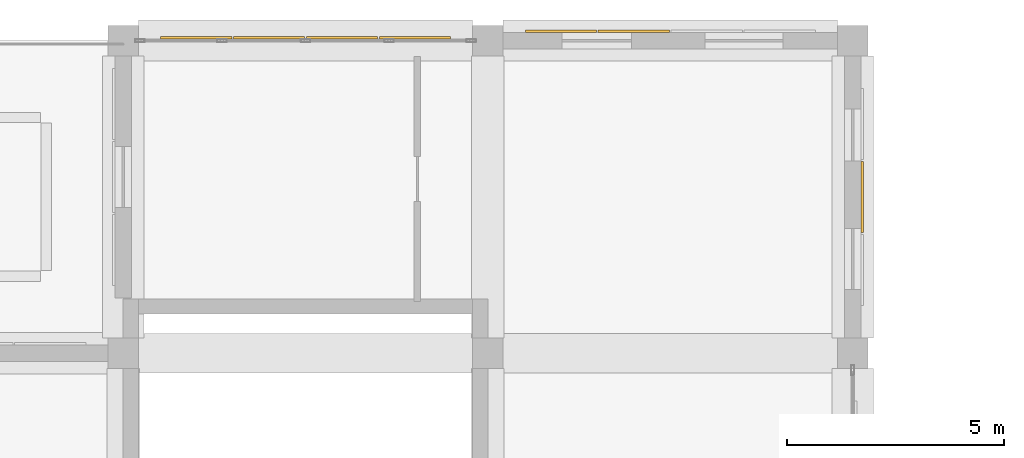
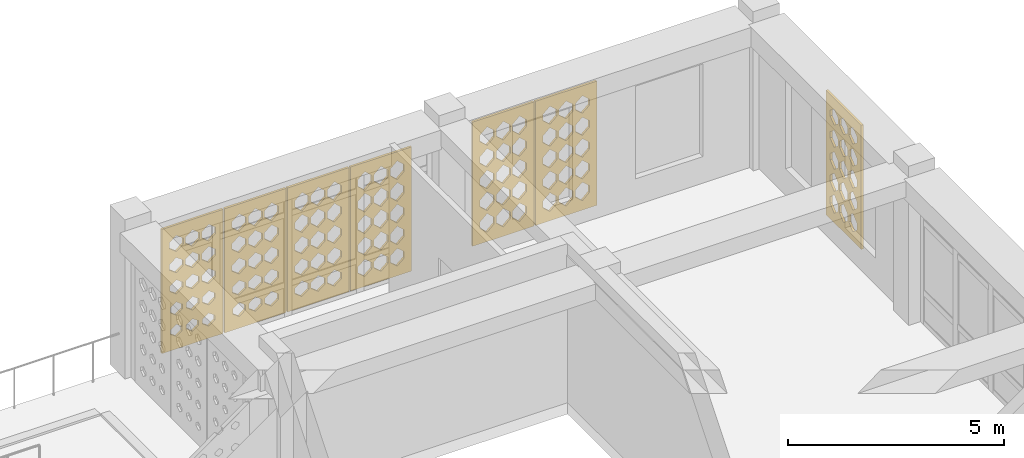
# One storey, part 77 of 79: 7 coverings.
"""IFC4 building model written with IfcOpenShell, lengths in metres."""

from ifc_helpers import new_model, si_unit, derived_unit, direction, frame, origin, place, context, subcontext, project, spatial, polyline, outline, extrude, material, layer, layer_set, type_object, element, save


model = new_model("IFC4")

# Units and contexts
model_context = context("Model", 3, precision=1e-05, world=origin(), true_north=direction((0.0, 1.0)))
body_context = subcontext(model_context, "Body", "Model", "MODEL_VIEW")
ifc_project = project(units=[si_unit("LENGTHUNIT", "METRE"), si_unit("AREAUNIT", "SQUARE_METRE"), si_unit("VOLUMEUNIT", "CUBIC_METRE"), si_unit("PLANEANGLEUNIT", "RADIAN"), si_unit("MASSUNIT", "GRAM", prefix="KILO"), derived_unit("THERMALTRANSMITTANCEUNIT", [(si_unit("POWERUNIT", "WATT"), 1), (si_unit("LENGTHUNIT", "METRE"), -2), (si_unit("THERMODYNAMICTEMPERATUREUNIT", "KELVIN"), -1)])], contexts=[model_context])

# Site, building, storey
site_placement = place(None, origin())
site = spatial("IfcSite", under=ifc_project, at=site_placement, CompositionType="ELEMENT")
building_placement = place(site_placement, origin())
building = spatial("IfcBuilding", under=site, at=building_placement, Name="Veybourne Emporium", CompositionType="ELEMENT")
storey_placement = place(building_placement, frame((0.0, 0.0, 18.89990234375)))
storey = spatial("IfcBuildingStorey", under=building, at=storey_placement, Name="L04", CompositionType="ELEMENT", Elevation=18.89990234375)

# Coverings
ifc_material = material(Name="Warm-White Perforated Aluminium Screen Alloy", Category="aluminium")
ifc_layer_1 = layer(ifc_material, 0.06005859375)
ifc_layer_set_1 = layer_set([ifc_layer_1], Name="Warm-White Perforated Aluminium Screen Alloy")
covering_type_1 = type_object("IfcCoveringType", Name="WaveScreen_SCR-01", PredefinedType="CLADDING", material=ifc_layer_set_1)
covering_1_placement = place(storey_placement, frame((77.280029296875, 100.89306640625, 1.815185546875), z_axis=(0.0, -1.0, 0.0), x_axis=(1.0, 0.0, 0.0)))
element("IfcCovering", 1, at=covering_1_placement, inside=storey, type_object=covering_type_1, Name="L04 wave-perforated aluminium screen SCR-01 (39C.1)", PredefinedType="CLADDING", context=body_context, shape_type="SweptSolid", body=[
    extrude(outline(polyline([(-0.81982421875, -1.7548828125), (0.81982421875, -1.7548828125), (0.81982421875, 1.7548828125), (-0.81982421875, 1.7548828125), (-0.81982421875, -1.7548828125)]), holes=[polyline([(-0.433349609375, -1.056396484375), (-0.282958984375, -1.166259765625), (-0.282958984375, -1.289794921875), (-0.433349609375, -1.399658203125), (-0.583740234375, -1.289794921875), (-0.583740234375, -1.166259765625), (-0.433349609375, -1.056396484375)]), polyline([(-0.433349609375, -0.42822265625), (-0.271484375, -0.547119140625), (-0.271484375, -0.680908203125), (-0.433349609375, -0.7998046875), (-0.59521484375, -0.680908203125), (-0.59521484375, -0.547119140625), (-0.433349609375, -0.42822265625)]), polyline([(-0.433349609375, 0.19970703125), (-0.259765625, 0.072021484375), (-0.259765625, -0.072021484375), (-0.433349609375, -0.19970703125), (-0.606689453125, -0.072021484375), (-0.606689453125, 0.072021484375), (-0.433349609375, 0.19970703125)]), polyline([(-0.433349609375, 0.827880859375), (-0.248291015625, 0.69091796875), (-0.248291015625, 0.537109375), (-0.433349609375, 0.400146484375), (-0.6181640625, 0.537109375), (-0.6181640625, 0.69091796875), (-0.433349609375, 0.827880859375)]), polyline([(-0.433349609375, 1.455078125), (-0.2470703125, 1.309814453125), (-0.2470703125, 1.146240234375), (-0.433349609375, 1.0009765625), (-0.61962890625, 1.146240234375), (-0.61962890625, 1.309814453125), (-0.433349609375, 1.455078125)]), polyline([(0.0, -1.050048828125), (0.155517578125, -1.163818359375), (0.155517578125, -1.2919921875), (0.0, -1.406005859375), (-0.155517578125, -1.2919921875), (-0.155517578125, -1.163818359375), (0.0, -1.050048828125)]), polyline([(0.0, -0.421875), (0.167236328125, -0.544921875), (0.167236328125, -0.68310546875), (0.0, -0.80615234375), (-0.167236328125, -0.68310546875), (-0.167236328125, -0.544921875), (0.0, -0.421875)]), polyline([(0.0, 0.206298828125), (0.1787109375, 0.07421875), (0.1787109375, -0.07421875), (0.0, -0.206298828125), (-0.1787109375, -0.07421875), (-0.1787109375, 0.07421875), (0.0, 0.206298828125)]), polyline([(0.0, 0.833984375), (0.186279296875, 0.693115234375), (0.186279296875, 0.534912109375), (0.0, 0.39404296875), (-0.186279296875, 0.534912109375), (-0.186279296875, 0.693115234375), (0.0, 0.833984375)]), polyline([(0.0, 1.460693359375), (0.186279296875, 1.311767578125), (0.186279296875, 1.144287109375), (0.0, 0.9951171875), (-0.186279296875, 1.144287109375), (-0.186279296875, 1.311767578125), (0.0, 1.460693359375)]), polyline([(0.433349609375, -1.043701171875), (0.59423828125, -1.16162109375), (0.59423828125, -1.29443359375), (0.433349609375, -1.412353515625), (0.2724609375, -1.29443359375), (0.2724609375, -1.16162109375), (0.433349609375, -1.043701171875)]), polyline([(0.433349609375, -0.41552734375), (0.605712890625, -0.54248046875), (0.605712890625, -0.685546875), (0.433349609375, -0.8125), (0.260986328125, -0.685546875), (0.260986328125, -0.54248046875), (0.433349609375, -0.41552734375)]), polyline([(0.433349609375, 0.21240234375), (0.6171875, 0.076416015625), (0.6171875, -0.076416015625), (0.433349609375, -0.21240234375), (0.24951171875, -0.076416015625), (0.24951171875, 0.076416015625), (0.433349609375, 0.21240234375)]), polyline([(0.433349609375, 0.83984375), (0.61962890625, 0.6953125), (0.61962890625, 0.53271484375), (0.433349609375, 0.38818359375), (0.2470703125, 0.53271484375), (0.2470703125, 0.6953125), (0.433349609375, 0.83984375)]), polyline([(0.433349609375, 1.46630859375), (0.61962890625, 1.313720703125), (0.61962890625, 1.14208984375), (0.433349609375, 0.98974609375), (0.2470703125, 1.14208984375), (0.2470703125, 1.313720703125), (0.433349609375, 1.46630859375)])]), origin(), (0.0, 0.0, 1.0), 0.06005859375),
])
covering_2_placement = place(storey_placement, frame((92.64794921875, 97.199951171875, 1.815185546875), z_axis=(-1.0, 0.0, 0.0), x_axis=(0.0, -1.0, 0.0)))
element("IfcCovering", 2, at=covering_2_placement, inside=storey, type_object=covering_type_1, Name="L04 wave-perforated aluminium screen SCR-01 (46.2)", PredefinedType="CLADDING", context=body_context, shape_type="SweptSolid", body=[
    extrude(outline(polyline([(-0.81982421875, -1.7548828125), (0.81982421875, -1.7548828125), (0.81982421875, 1.7548828125), (-0.81982421875, 1.7548828125), (-0.81982421875, -1.7548828125)]), holes=[polyline([(-0.433349609375, -0.964111328125), (-0.2470703125, -1.133056640625), (-0.2470703125, -1.322998046875), (-0.433349609375, -1.491943359375), (-0.61962890625, -1.322998046875), (-0.61962890625, -1.133056640625), (-0.433349609375, -0.964111328125)]), polyline([(-0.433349609375, -0.353515625), (-0.2470703125, -0.520263671875), (-0.2470703125, -0.707763671875), (-0.433349609375, -0.87451171875), (-0.61962890625, -0.707763671875), (-0.61962890625, -0.520263671875), (-0.433349609375, -0.353515625)]), polyline([(-0.433349609375, 0.25146484375), (-0.2470703125, 0.090576171875), (-0.2470703125, -0.090576171875), (-0.433349609375, -0.25146484375), (-0.61962890625, -0.090576171875), (-0.61962890625, 0.090576171875), (-0.433349609375, 0.25146484375)]), polyline([(-0.433349609375, 0.854736328125), (-0.2470703125, 0.70068359375), (-0.2470703125, 0.52734375), (-0.433349609375, 0.373291015625), (-0.61962890625, 0.52734375), (-0.61962890625, 0.70068359375), (-0.433349609375, 0.854736328125)]), polyline([(-0.433349609375, 1.45654296875), (-0.2470703125, 1.310302734375), (-0.2470703125, 1.145751953125), (-0.433349609375, 0.99951171875), (-0.61962890625, 1.145751953125), (-0.61962890625, 1.310302734375), (-0.433349609375, 1.45654296875)]), polyline([(0.0, -0.964111328125), (0.186279296875, -1.133056640625), (0.186279296875, -1.322998046875), (0.0, -1.491943359375), (-0.186279296875, -1.322998046875), (-0.186279296875, -1.133056640625), (0.0, -0.964111328125)]), polyline([(0.0, -0.35009765625), (0.186279296875, -0.51904296875), (0.186279296875, -0.708984375), (0.0, -0.8779296875), (-0.186279296875, -0.708984375), (-0.186279296875, -0.51904296875), (0.0, -0.35009765625)]), polyline([(0.0, 0.255615234375), (0.186279296875, 0.092041015625), (0.186279296875, -0.092041015625), (0.0, -0.255615234375), (-0.186279296875, -0.092041015625), (-0.186279296875, 0.092041015625), (0.0, 0.255615234375)]), polyline([(0.0, 0.859619140625), (0.186279296875, 0.702392578125), (0.186279296875, 0.525390625), (0.0, 0.368408203125), (-0.186279296875, 0.525390625), (-0.186279296875, 0.702392578125), (0.0, 0.859619140625)]), polyline([(0.0, 1.462158203125), (0.186279296875, 1.312255859375), (0.186279296875, 1.143798828125), (0.0, 0.993896484375), (-0.186279296875, 1.143798828125), (-0.186279296875, 1.312255859375), (0.0, 1.462158203125)]), polyline([(0.433349609375, -0.964111328125), (0.61962890625, -1.133056640625), (0.61962890625, -1.322998046875), (0.433349609375, -1.491943359375), (0.2470703125, -1.322998046875), (0.2470703125, -1.133056640625), (0.433349609375, -0.964111328125)]), polyline([(0.433349609375, -0.35009765625), (0.61962890625, -0.51904296875), (0.61962890625, -0.708984375), (0.433349609375, -0.8779296875), (0.2470703125, -0.708984375), (0.2470703125, -0.51904296875), (0.433349609375, -0.35009765625)]), polyline([(0.433349609375, 0.259765625), (0.61962890625, 0.093505859375), (0.61962890625, -0.093505859375), (0.433349609375, -0.259765625), (0.2470703125, -0.093505859375), (0.2470703125, 0.093505859375), (0.433349609375, 0.259765625)]), polyline([(0.433349609375, 0.864501953125), (0.61962890625, 0.7041015625), (0.61962890625, 0.523681640625), (0.433349609375, 0.363525390625), (0.2470703125, 0.523681640625), (0.2470703125, 0.7041015625), (0.433349609375, 0.864501953125)]), polyline([(0.433349609375, 1.467529296875), (0.61962890625, 1.314208984375), (0.61962890625, 1.1416015625), (0.433349609375, 0.98828125), (0.2470703125, 1.1416015625), (0.2470703125, 1.314208984375), (0.433349609375, 1.467529296875)])]), origin(), (0.0, 0.0, 1.0), 0.06005859375),
])
covering_3_placement = place(storey_placement, frame((85.679931640625, 101.048095703125, 1.815185546875), z_axis=(0.0, -1.0, 0.0), x_axis=(1.0, 0.0, 0.0)))
element("IfcCovering", 3, at=covering_3_placement, inside=storey, type_object=covering_type_1, Name="L04 wave-perforated aluminium screen SCR-01 (47.1)", PredefinedType="CLADDING", context=body_context, shape_type="SweptSolid", body=[
    extrude(outline(polyline([(-0.81982421875, -1.7548828125), (0.81982421875, -1.7548828125), (0.81982421875, 1.7548828125), (-0.81982421875, 1.7548828125), (-0.81982421875, -1.7548828125)]), holes=[polyline([(-0.433349609375, -0.964111328125), (-0.2470703125, -1.133056640625), (-0.2470703125, -1.322998046875), (-0.433349609375, -1.491943359375), (-0.61962890625, -1.322998046875), (-0.61962890625, -1.133056640625), (-0.433349609375, -0.964111328125)]), polyline([(-0.433349609375, -0.35009765625), (-0.2470703125, -0.51904296875), (-0.2470703125, -0.708984375), (-0.433349609375, -0.8779296875), (-0.61962890625, -0.708984375), (-0.61962890625, -0.51904296875), (-0.433349609375, -0.35009765625)]), polyline([(-0.433349609375, 0.263916015625), (-0.2470703125, 0.094970703125), (-0.2470703125, -0.094970703125), (-0.433349609375, -0.263916015625), (-0.61962890625, -0.094970703125), (-0.61962890625, 0.094970703125), (-0.433349609375, 0.263916015625)]), polyline([(-0.433349609375, 0.8779296875), (-0.2470703125, 0.708984375), (-0.2470703125, 0.51904296875), (-0.433349609375, 0.35009765625), (-0.61962890625, 0.51904296875), (-0.61962890625, 0.708984375), (-0.433349609375, 0.8779296875)]), polyline([(-0.433349609375, 1.491943359375), (-0.2470703125, 1.322998046875), (-0.2470703125, 1.133056640625), (-0.433349609375, 0.964111328125), (-0.61962890625, 1.133056640625), (-0.61962890625, 1.322998046875), (-0.433349609375, 1.491943359375)]), polyline([(0.0, -0.964111328125), (0.186279296875, -1.133056640625), (0.186279296875, -1.322998046875), (0.0, -1.491943359375), (-0.186279296875, -1.322998046875), (-0.186279296875, -1.133056640625), (0.0, -0.964111328125)]), polyline([(0.0, -0.35009765625), (0.186279296875, -0.51904296875), (0.186279296875, -0.708984375), (0.0, -0.8779296875), (-0.186279296875, -0.708984375), (-0.186279296875, -0.51904296875), (0.0, -0.35009765625)]), polyline([(0.0, 0.263916015625), (0.186279296875, 0.094970703125), (0.186279296875, -0.094970703125), (0.0, -0.263916015625), (-0.186279296875, -0.094970703125), (-0.186279296875, 0.094970703125), (0.0, 0.263916015625)]), polyline([(0.0, 0.8779296875), (0.186279296875, 0.708984375), (0.186279296875, 0.51904296875), (0.0, 0.35009765625), (-0.186279296875, 0.51904296875), (-0.186279296875, 0.708984375), (0.0, 0.8779296875)]), polyline([(0.0, 1.491943359375), (0.186279296875, 1.322998046875), (0.186279296875, 1.133056640625), (0.0, 0.964111328125), (-0.186279296875, 1.133056640625), (-0.186279296875, 1.322998046875), (0.0, 1.491943359375)]), polyline([(0.433349609375, -0.964111328125), (0.61962890625, -1.133056640625), (0.61962890625, -1.322998046875), (0.433349609375, -1.491943359375), (0.2470703125, -1.322998046875), (0.2470703125, -1.133056640625), (0.433349609375, -0.964111328125)]), polyline([(0.433349609375, -0.35009765625), (0.61962890625, -0.51904296875), (0.61962890625, -0.708984375), (0.433349609375, -0.8779296875), (0.2470703125, -0.708984375), (0.2470703125, -0.51904296875), (0.433349609375, -0.35009765625)]), polyline([(0.433349609375, 0.263916015625), (0.61962890625, 0.094970703125), (0.61962890625, -0.094970703125), (0.433349609375, -0.263916015625), (0.2470703125, -0.094970703125), (0.2470703125, 0.094970703125), (0.433349609375, 0.263916015625)]), polyline([(0.433349609375, 0.8779296875), (0.61962890625, 0.708984375), (0.61962890625, 0.51904296875), (0.433349609375, 0.35009765625), (0.2470703125, 0.51904296875), (0.2470703125, 0.708984375), (0.433349609375, 0.8779296875)]), polyline([(0.433349609375, 1.490478515625), (0.61962890625, 1.322509765625), (0.61962890625, 1.133544921875), (0.433349609375, 0.965576171875), (0.2470703125, 1.133544921875), (0.2470703125, 1.322509765625), (0.433349609375, 1.490478515625)])]), origin(), (0.0, 0.0, 1.0), 0.06005859375),
])
ifc_layer_2 = layer(ifc_material, 0.06005859375)
ifc_layer_set_2 = layer_set([ifc_layer_2], Name="Warm-White Perforated Aluminium Screen Alloy")
covering_type_2 = type_object("IfcCoveringType", Name="WaveScreen_SCR-02", PredefinedType="CLADDING", material=ifc_layer_set_2)
covering_4_placement = place(storey_placement, frame((78.9599609375, 100.89306640625, 1.815185546875), z_axis=(0.0, -1.0, 0.0), x_axis=(1.0, 0.0, 0.0)))
element("IfcCovering", 4, at=covering_4_placement, inside=storey, type_object=covering_type_2, Name="L04 wave-perforated aluminium screen SCR-02 (39C.2)", PredefinedType="CLADDING", context=body_context, shape_type="SweptSolid", body=[
    extrude(outline(polyline([(-0.81982421875, -1.7548828125), (0.81982421875, -1.7548828125), (0.81982421875, 1.7548828125), (-0.81982421875, 1.7548828125), (-0.81982421875, -1.7548828125)]), holes=[polyline([(-0.433349609375, -1.031494140625), (-0.2626953125, -1.1572265625), (-0.2626953125, -1.298583984375), (-0.433349609375, -1.42431640625), (-0.60400390625, -1.298583984375), (-0.60400390625, -1.1572265625), (-0.433349609375, -1.031494140625)]), polyline([(-0.433349609375, -0.403564453125), (-0.251220703125, -0.5380859375), (-0.251220703125, -0.689697265625), (-0.433349609375, -0.824462890625), (-0.615478515625, -0.689697265625), (-0.615478515625, -0.5380859375), (-0.433349609375, -0.403564453125)]), polyline([(-0.433349609375, 0.22412109375), (-0.2470703125, 0.08056640625), (-0.2470703125, -0.08056640625), (-0.433349609375, -0.22412109375), (-0.61962890625, -0.08056640625), (-0.61962890625, 0.08056640625), (-0.433349609375, 0.22412109375)]), polyline([(-0.433349609375, 0.8505859375), (-0.2470703125, 0.69921875), (-0.2470703125, 0.52880859375), (-0.433349609375, 0.37744140625), (-0.61962890625, 0.52880859375), (-0.61962890625, 0.69921875), (-0.433349609375, 0.8505859375)]), polyline([(-0.433349609375, 1.475830078125), (-0.2470703125, 1.317138671875), (-0.2470703125, 1.138916015625), (-0.433349609375, 0.980224609375), (-0.61962890625, 1.138916015625), (-0.61962890625, 1.317138671875), (-0.433349609375, 1.475830078125)]), polyline([(0.0, -1.025146484375), (0.17578125, -1.155029296875), (0.17578125, -1.301025390625), (0.0, -1.430908203125), (-0.17578125, -1.301025390625), (-0.17578125, -1.155029296875), (0.0, -1.025146484375)]), polyline([(0.0, -0.397216796875), (0.186279296875, -0.535888671875), (0.186279296875, -0.69189453125), (0.0, -0.830810546875), (-0.186279296875, -0.69189453125), (-0.186279296875, -0.535888671875), (0.0, -0.397216796875)]), polyline([(0.0, 0.229736328125), (0.186279296875, 0.082763671875), (0.186279296875, -0.082763671875), (0.0, -0.229736328125), (-0.186279296875, -0.082763671875), (-0.186279296875, 0.082763671875), (0.0, 0.229736328125)]), polyline([(0.0, 0.855712890625), (0.186279296875, 0.701171875), (0.186279296875, 0.52685546875), (0.0, 0.372314453125), (-0.186279296875, 0.52685546875), (-0.186279296875, 0.701171875), (0.0, 0.855712890625)]), polyline([(0.0, 1.48046875), (0.186279296875, 1.31884765625), (0.186279296875, 1.13720703125), (0.0, 0.9755859375), (-0.186279296875, 1.13720703125), (-0.186279296875, 1.31884765625), (0.0, 1.48046875)]), polyline([(0.433349609375, -1.018798828125), (0.614501953125, -1.152587890625), (0.614501953125, -1.30322265625), (0.433349609375, -1.437255859375), (0.252197265625, -1.30322265625), (0.252197265625, -1.152587890625), (0.433349609375, -1.018798828125)]), polyline([(0.433349609375, -0.391357421875), (0.61962890625, -0.53369140625), (0.61962890625, -0.694091796875), (0.433349609375, -0.836669921875), (0.2470703125, -0.694091796875), (0.2470703125, -0.53369140625), (0.433349609375, -0.391357421875)]), polyline([(0.433349609375, 0.2353515625), (0.61962890625, 0.084716796875), (0.61962890625, -0.084716796875), (0.433349609375, -0.2353515625), (0.2470703125, -0.084716796875), (0.2470703125, 0.084716796875), (0.433349609375, 0.2353515625)]), polyline([(0.433349609375, 0.86083984375), (0.61962890625, 0.702880859375), (0.61962890625, 0.525146484375), (0.433349609375, 0.3671875), (0.2470703125, 0.525146484375), (0.2470703125, 0.702880859375), (0.433349609375, 0.86083984375)]), polyline([(0.433349609375, 1.484619140625), (0.61962890625, 1.3203125), (0.61962890625, 1.135498046875), (0.433349609375, 0.97119140625), (0.2470703125, 1.135498046875), (0.2470703125, 1.3203125), (0.433349609375, 1.484619140625)])]), origin(), (0.0, 0.0, 1.0), 0.06005859375),
])
covering_5_placement = place(storey_placement, frame((87.360107421875, 101.048095703125, 1.815185546875), z_axis=(0.0, -1.0, 0.0), x_axis=(1.0, 0.0, 0.0)))
element("IfcCovering", 5, at=covering_5_placement, inside=storey, type_object=covering_type_2, Name="L04 wave-perforated aluminium screen SCR-02 (47.2)", PredefinedType="CLADDING", context=body_context, shape_type="SweptSolid", body=[
    extrude(outline(polyline([(-0.81982421875, -1.7548828125), (0.81982421875, -1.7548828125), (0.81982421875, 1.7548828125), (-0.81982421875, 1.7548828125), (-0.81982421875, -1.7548828125)]), holes=[polyline([(-0.433349609375, -0.964111328125), (-0.2470703125, -1.133056640625), (-0.2470703125, -1.322998046875), (-0.433349609375, -1.491943359375), (-0.61962890625, -1.322998046875), (-0.61962890625, -1.133056640625), (-0.433349609375, -0.964111328125)]), polyline([(-0.433349609375, -0.35009765625), (-0.2470703125, -0.51904296875), (-0.2470703125, -0.708984375), (-0.433349609375, -0.8779296875), (-0.61962890625, -0.708984375), (-0.61962890625, -0.51904296875), (-0.433349609375, -0.35009765625)]), polyline([(-0.433349609375, 0.263916015625), (-0.2470703125, 0.094970703125), (-0.2470703125, -0.094970703125), (-0.433349609375, -0.263916015625), (-0.61962890625, -0.094970703125), (-0.61962890625, 0.094970703125), (-0.433349609375, 0.263916015625)]), polyline([(-0.433349609375, 0.877685546875), (-0.2470703125, 0.708984375), (-0.2470703125, 0.51904296875), (-0.433349609375, 0.350341796875), (-0.61962890625, 0.51904296875), (-0.61962890625, 0.708984375), (-0.433349609375, 0.877685546875)]), polyline([(-0.433349609375, 1.4833984375), (-0.2470703125, 1.31982421875), (-0.2470703125, 1.135986328125), (-0.433349609375, 0.97265625), (-0.61962890625, 1.135986328125), (-0.61962890625, 1.31982421875), (-0.433349609375, 1.4833984375)]), polyline([(0.0, -0.964111328125), (0.186279296875, -1.133056640625), (0.186279296875, -1.322998046875), (0.0, -1.491943359375), (-0.186279296875, -1.322998046875), (-0.186279296875, -1.133056640625), (0.0, -0.964111328125)]), polyline([(0.0, -0.35009765625), (0.186279296875, -0.51904296875), (0.186279296875, -0.708984375), (0.0, -0.8779296875), (-0.186279296875, -0.708984375), (-0.186279296875, -0.51904296875), (0.0, -0.35009765625)]), polyline([(0.0, 0.263916015625), (0.186279296875, 0.094970703125), (0.186279296875, -0.094970703125), (0.0, -0.263916015625), (-0.186279296875, -0.094970703125), (-0.186279296875, 0.094970703125), (0.0, 0.263916015625)]), polyline([(0.0, 0.8740234375), (0.186279296875, 0.70751953125), (0.186279296875, 0.5205078125), (0.0, 0.35400390625), (-0.186279296875, 0.5205078125), (-0.186279296875, 0.70751953125), (0.0, 0.8740234375)]), polyline([(0.0, 1.47900390625), (0.186279296875, 1.318359375), (0.186279296875, 1.1376953125), (0.0, 0.97705078125), (-0.186279296875, 1.1376953125), (-0.186279296875, 1.318359375), (0.0, 1.47900390625)]), polyline([(0.433349609375, -0.964111328125), (0.61962890625, -1.133056640625), (0.61962890625, -1.322998046875), (0.433349609375, -1.491943359375), (0.2470703125, -1.322998046875), (0.2470703125, -1.133056640625), (0.433349609375, -0.964111328125)]), polyline([(0.433349609375, -0.35009765625), (0.61962890625, -0.51904296875), (0.61962890625, -0.708984375), (0.433349609375, -0.8779296875), (0.2470703125, -0.708984375), (0.2470703125, -0.51904296875), (0.433349609375, -0.35009765625)]), polyline([(0.433349609375, 0.263916015625), (0.61962890625, 0.094970703125), (0.61962890625, -0.094970703125), (0.433349609375, -0.263916015625), (0.2470703125, -0.094970703125), (0.2470703125, 0.094970703125), (0.433349609375, 0.263916015625)]), polyline([(0.433349609375, 0.8701171875), (0.61962890625, 0.706298828125), (0.61962890625, 0.521728515625), (0.433349609375, 0.35791015625), (0.2470703125, 0.521728515625), (0.2470703125, 0.706298828125), (0.433349609375, 0.8701171875)]), polyline([(0.433349609375, 1.474365234375), (0.61962890625, 1.316650390625), (0.61962890625, 1.139404296875), (0.433349609375, 0.981689453125), (0.2470703125, 1.139404296875), (0.2470703125, 1.316650390625), (0.433349609375, 1.474365234375)])]), origin(), (0.0, 0.0, 1.0), 0.06005859375),
])
ifc_layer_3 = layer(ifc_material, 0.06005859375)
ifc_layer_set_3 = layer_set([ifc_layer_3], Name="Warm-White Perforated Aluminium Screen Alloy")
covering_type_3 = type_object("IfcCoveringType", Name="WaveScreen_SCR-03", PredefinedType="CLADDING", material=ifc_layer_set_3)
covering_6_placement = place(storey_placement, frame((80.639892578125, 100.89306640625, 1.815185546875), z_axis=(0.0, -1.0, 0.0), x_axis=(1.0, 0.0, 0.0)))
element("IfcCovering", 6, at=covering_6_placement, inside=storey, type_object=covering_type_3, Name="L04 wave-perforated aluminium screen SCR-03 (39C.3)", PredefinedType="CLADDING", context=body_context, shape_type="SweptSolid", body=[
    extrude(outline(polyline([(-0.81982421875, -1.7548828125), (0.81982421875, -1.7548828125), (0.81982421875, 1.7548828125), (-0.81982421875, 1.7548828125), (-0.81982421875, -1.7548828125)]), holes=[polyline([(-0.433349609375, -1.007080078125), (-0.2470703125, -1.1484375), (-0.2470703125, -1.3076171875), (-0.433349609375, -1.44873046875), (-0.61962890625, -1.3076171875), (-0.61962890625, -1.1484375), (-0.433349609375, -1.007080078125)]), polyline([(-0.433349609375, -0.38037109375), (-0.2470703125, -0.52978515625), (-0.2470703125, -0.697998046875), (-0.433349609375, -0.84765625), (-0.61962890625, -0.697998046875), (-0.61962890625, -0.52978515625), (-0.433349609375, -0.38037109375)]), polyline([(-0.433349609375, 0.2451171875), (-0.2470703125, 0.08837890625), (-0.2470703125, -0.08837890625), (-0.433349609375, -0.2451171875), (-0.61962890625, -0.08837890625), (-0.61962890625, 0.08837890625), (-0.433349609375, 0.2451171875)]), polyline([(-0.433349609375, 0.869384765625), (-0.2470703125, 0.705810546875), (-0.2470703125, 0.522216796875), (-0.433349609375, 0.358642578125), (-0.61962890625, 0.522216796875), (-0.61962890625, 0.705810546875), (-0.433349609375, 0.869384765625)]), polyline([(-0.433349609375, 1.491455078125), (-0.2470703125, 1.322998046875), (-0.2470703125, 1.133056640625), (-0.433349609375, 0.964599609375), (-0.61962890625, 1.133056640625), (-0.61962890625, 1.322998046875), (-0.433349609375, 1.491455078125)]), polyline([(0.0, -1.001220703125), (0.186279296875, -1.146484375), (0.186279296875, -1.3095703125), (0.0, -1.45458984375), (-0.186279296875, -1.3095703125), (-0.186279296875, -1.146484375), (0.0, -1.001220703125)]), polyline([(0.0, -0.375), (0.186279296875, -0.52783203125), (0.186279296875, -0.7001953125), (0.0, -0.85302734375), (-0.186279296875, -0.7001953125), (-0.186279296875, -0.52783203125), (0.0, -0.375)]), polyline([(0.0, 0.25), (0.186279296875, 0.090087890625), (0.186279296875, -0.090087890625), (0.0, -0.25), (-0.186279296875, -0.090087890625), (-0.186279296875, 0.090087890625), (0.0, 0.25)]), polyline([(0.0, 0.873291015625), (0.186279296875, 0.707275390625), (0.186279296875, 0.520751953125), (0.0, 0.354736328125), (-0.186279296875, 0.520751953125), (-0.186279296875, 0.707275390625), (0.0, 0.873291015625)]), polyline([(0.0, 1.491943359375), (0.186279296875, 1.322998046875), (0.186279296875, 1.133056640625), (0.0, 0.964111328125), (-0.186279296875, 1.133056640625), (-0.186279296875, 1.322998046875), (0.0, 1.491943359375)]), polyline([(0.433349609375, -0.99560546875), (0.61962890625, -1.144287109375), (0.61962890625, -1.311767578125), (0.433349609375, -1.46044921875), (0.2470703125, -1.311767578125), (0.2470703125, -1.144287109375), (0.433349609375, -0.99560546875)]), polyline([(0.433349609375, -0.369873046875), (0.61962890625, -0.526123046875), (0.61962890625, -0.701904296875), (0.433349609375, -0.858154296875), (0.2470703125, -0.701904296875), (0.2470703125, -0.526123046875), (0.433349609375, -0.369873046875)]), polyline([(0.433349609375, 0.25439453125), (0.61962890625, 0.091552734375), (0.61962890625, -0.091552734375), (0.433349609375, -0.25439453125), (0.2470703125, -0.091552734375), (0.2470703125, 0.091552734375), (0.433349609375, 0.25439453125)]), polyline([(0.433349609375, 0.876953125), (0.61962890625, 0.70849609375), (0.61962890625, 0.519287109375), (0.433349609375, 0.35107421875), (0.2470703125, 0.519287109375), (0.2470703125, 0.70849609375), (0.433349609375, 0.876953125)]), polyline([(0.433349609375, 1.491943359375), (0.61962890625, 1.322998046875), (0.61962890625, 1.133056640625), (0.433349609375, 0.964111328125), (0.2470703125, 1.133056640625), (0.2470703125, 1.322998046875), (0.433349609375, 1.491943359375)])]), origin(), (0.0, 0.0, 1.0), 0.06005859375),
])
ifc_layer_4 = layer(ifc_material, 0.06005859375)
ifc_layer_set_4 = layer_set([ifc_layer_4], Name="Warm-White Perforated Aluminium Screen Alloy")
covering_type_4 = type_object("IfcCoveringType", Name="WaveScreen_SCR-04", PredefinedType="CLADDING", material=ifc_layer_set_4)
covering_7_placement = place(storey_placement, frame((82.320068359375, 100.89306640625, 1.815185546875), z_axis=(0.0, -1.0, 0.0), x_axis=(1.0, 0.0, 0.0)))
element("IfcCovering", 7, at=covering_7_placement, inside=storey, type_object=covering_type_4, Name="L04 wave-perforated aluminium screen SCR-04 (39C.4)", PredefinedType="CLADDING", context=body_context, shape_type="SweptSolid", body=[
    extrude(outline(polyline([(-0.81982421875, -1.7548828125), (0.81982421875, -1.7548828125), (0.81982421875, 1.7548828125), (-0.81982421875, 1.7548828125), (-0.81982421875, -1.7548828125)]), holes=[polyline([(-0.433349609375, -0.9853515625), (-0.2470703125, -1.140625), (-0.2470703125, -1.315185546875), (-0.433349609375, -1.470703125), (-0.61962890625, -1.315185546875), (-0.61962890625, -1.140625), (-0.433349609375, -0.9853515625)]), polyline([(-0.433349609375, -0.36083984375), (-0.2470703125, -0.52294921875), (-0.2470703125, -0.705078125), (-0.433349609375, -0.8671875), (-0.61962890625, -0.705078125), (-0.61962890625, -0.52294921875), (-0.433349609375, -0.36083984375)]), polyline([(-0.433349609375, 0.26171875), (-0.2470703125, 0.09423828125), (-0.2470703125, -0.09423828125), (-0.433349609375, -0.26171875), (-0.61962890625, -0.09423828125), (-0.61962890625, 0.09423828125), (-0.433349609375, 0.26171875)]), polyline([(-0.433349609375, 0.8779296875), (-0.2470703125, 0.708984375), (-0.2470703125, 0.51904296875), (-0.433349609375, 0.35009765625), (-0.61962890625, 0.51904296875), (-0.61962890625, 0.708984375), (-0.433349609375, 0.8779296875)]), polyline([(-0.433349609375, 1.491943359375), (-0.2470703125, 1.322998046875), (-0.2470703125, 1.133056640625), (-0.433349609375, 0.964111328125), (-0.61962890625, 1.133056640625), (-0.61962890625, 1.322998046875), (-0.433349609375, 1.491943359375)]), polyline([(0.0, -0.98046875), (0.186279296875, -1.138916015625), (0.186279296875, -1.317138671875), (0.0, -1.4755859375), (-0.186279296875, -1.317138671875), (-0.186279296875, -1.138916015625), (0.0, -0.98046875)]), polyline([(0.0, -0.356689453125), (0.186279296875, -0.521484375), (0.186279296875, -0.70654296875), (0.0, -0.87109375), (-0.186279296875, -0.70654296875), (-0.186279296875, -0.521484375), (0.0, -0.356689453125)]), polyline([(0.0, 0.263916015625), (0.186279296875, 0.094970703125), (0.186279296875, -0.094970703125), (0.0, -0.263916015625), (-0.186279296875, -0.094970703125), (-0.186279296875, 0.094970703125), (0.0, 0.263916015625)]), polyline([(0.0, 0.8779296875), (0.186279296875, 0.708984375), (0.186279296875, 0.51904296875), (0.0, 0.35009765625), (-0.186279296875, 0.51904296875), (-0.186279296875, 0.708984375), (0.0, 0.8779296875)]), polyline([(0.0, 1.491943359375), (0.186279296875, 1.322998046875), (0.186279296875, 1.133056640625), (0.0, 0.964111328125), (-0.186279296875, 1.133056640625), (-0.186279296875, 1.322998046875), (0.0, 1.491943359375)]), polyline([(0.433349609375, -0.975830078125), (0.61962890625, -1.13720703125), (0.61962890625, -1.31884765625), (0.433349609375, -1.480224609375), (0.2470703125, -1.31884765625), (0.2470703125, -1.13720703125), (0.433349609375, -0.975830078125)]), polyline([(0.433349609375, -0.35302734375), (0.61962890625, -0.52001953125), (0.61962890625, -0.7080078125), (0.433349609375, -0.875), (0.2470703125, -0.7080078125), (0.2470703125, -0.52001953125), (0.433349609375, -0.35302734375)]), polyline([(0.433349609375, 0.263916015625), (0.61962890625, 0.094970703125), (0.61962890625, -0.094970703125), (0.433349609375, -0.263916015625), (0.2470703125, -0.094970703125), (0.2470703125, 0.094970703125), (0.433349609375, 0.263916015625)]), polyline([(0.433349609375, 0.8779296875), (0.61962890625, 0.708984375), (0.61962890625, 0.51904296875), (0.433349609375, 0.35009765625), (0.2470703125, 0.51904296875), (0.2470703125, 0.708984375), (0.433349609375, 0.8779296875)]), polyline([(0.433349609375, 1.491943359375), (0.61962890625, 1.322998046875), (0.61962890625, 1.133056640625), (0.433349609375, 0.964111328125), (0.2470703125, 1.133056640625), (0.2470703125, 1.322998046875), (0.433349609375, 1.491943359375)])]), origin(), (0.0, 0.0, 1.0), 0.06005859375),
])

save(model, "model.ifc")
